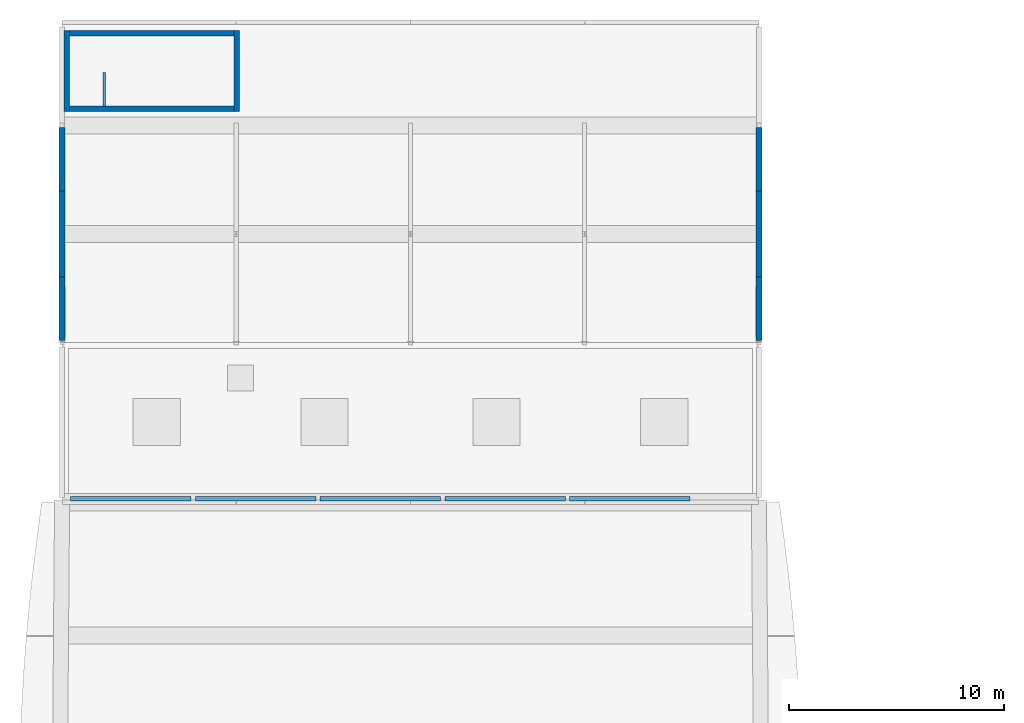
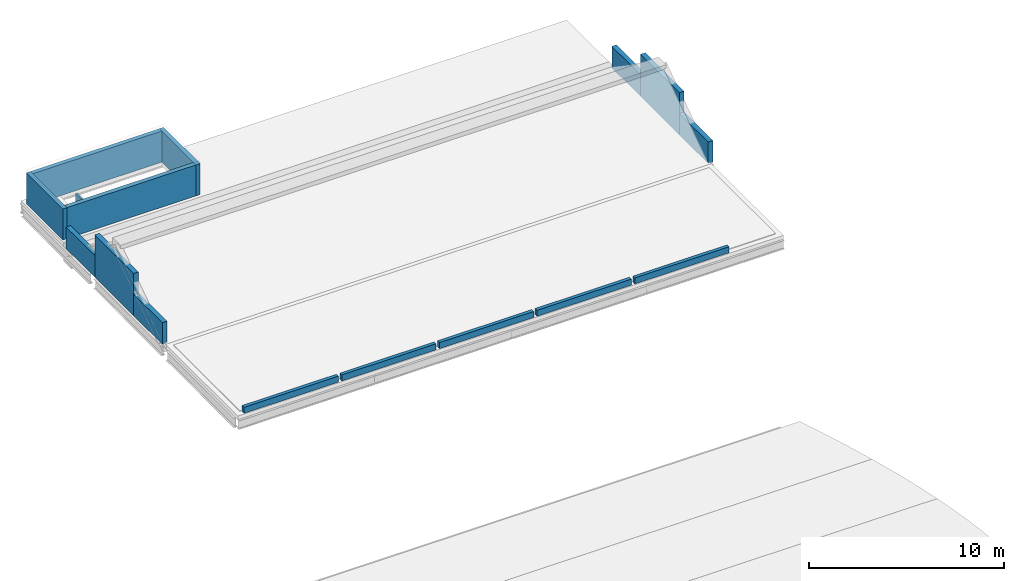
# One storey, part 8 of 9: 16 walls.
"""IFC4 building model written with IfcOpenShell, lengths in metres."""

from ifc_helpers import new_model, si_unit, direction, frame, frame_2d, origin, place, context, subcontext, project, spatial, rectangle, extrude, material, layer, layer_set, type_object, element, save


model = new_model("IFC4")

# Units and contexts
model_context = context("Model", 3, precision=1e-05, world=origin(), true_north=direction((0.0, 1.0)))
body_context = subcontext(model_context, "Body", "Model", "MODEL_VIEW")
ifc_project = project(units=[si_unit("LENGTHUNIT", "METRE"), si_unit("AREAUNIT", "SQUARE_METRE"), si_unit("VOLUMEUNIT", "CUBIC_METRE"), si_unit("PLANEANGLEUNIT", "RADIAN"), si_unit("MASSUNIT", "GRAM", prefix="KILO")], contexts=[model_context])

# Site, building, storey
site_placement = place(None, origin())
site = spatial("IfcSite", under=ifc_project, at=site_placement, CompositionType="ELEMENT")
building_placement = place(site_placement, origin())
building = spatial("IfcBuilding", under=site, at=building_placement, Name="Kaelora Sail Theatre", CompositionType="ELEMENT")
storey_placement = place(building_placement, frame((0.0, 0.0, 33.60009765625)))
storey = spatial("IfcBuildingStorey", under=building, at=storey_placement, Name="ROOF", CompositionType="ELEMENT", Elevation=33.60009765625)

# Walls
ifc_material_1 = material(Name="Concrete C40/50", Category="concrete")
ifc_layer_1 = layer(ifc_material_1, 0.25)
ifc_layer_set_1 = layer_set([ifc_layer_1], Name="Concrete C40/50")
wall_type_1 = type_object("IfcWallType", Name="ARC-WL-CW-250", PredefinedType="SHEAR", material=ifc_layer_set_1)
for number, where, z_axis, x_axis, name in (
    (1, (26.155029296875, 79.324951171875, 0.0), (0.0, 0.0, 1.0), (1.0, 0.0, 0.0), "Stair shaft ST-K1 wall ROOF-S"),
    (2, (26.155029296875, 82.824951171875, 0.0), (0.0, 0.0, 1.0), (1.0, 0.0, 0.0), "Stair shaft ST-K1 wall ROOF-N"),
):
    element("IfcWall", number, at=place(storey_placement, frame(where, z_axis=z_axis, x_axis=x_axis)), inside=storey, type_object=wall_type_1, Name=name, PredefinedType="SHEAR", context=body_context, shape_type="SweptSolid", body=[
        extrude(rectangle(XDim=7.639892578125, YDim=0.25, at=frame_2d((3.81982421875, 0.0))), origin(), (0.0, 0.0, 1.0), 1.949951171875),
    ])
for number, where, z_axis, x_axis, name in (
    (3, (26.02490234375, 79.199951171875, 0.0), (0.0, 0.0, 1.0), (0.0, 1.0, 0.0), "Stair shaft ST-K1 wall ROOF-W"),
    (4, (33.925048828125, 79.199951171875, 0.0), (0.0, 0.0, 1.0), (0.0, 1.0, 0.0), "Stair shaft ST-K1 wall ROOF-E"),
):
    element("IfcWall", number, at=place(storey_placement, frame(where, z_axis=z_axis, x_axis=x_axis)), inside=storey, type_object=wall_type_1, Name=name, PredefinedType="SHEAR", context=body_context, shape_type="SweptSolid", body=[
        extrude(rectangle(XDim=3.75, YDim=0.25, at=frame_2d((1.875, 0.0))), origin(), (0.0, 0.0, 1.0), 1.949951171875),
    ])
ifc_material_2 = material(Name="Precast concrete C45/55", Category="concrete")
ifc_layer_2 = layer(ifc_material_2, 0.280029296875)
ifc_layer_set_2 = layer_set([ifc_layer_2], Name="Precast concrete C45/55")
wall_type_2 = type_object("IfcWallType", Name="ARC-WL-EW-280", PredefinedType="SOLIDWALL", material=ifc_layer_set_2)
wall_1_placement = place(storey_placement, frame((25.800048828125, 68.550048828125, 0.0), z_axis=(0.0, 0.0, 1.0), x_axis=(0.0, 1.0, 0.0)))
element("IfcWall", 5, at=wall_1_placement, inside=storey, type_object=wall_type_2, Name="Fly Tower Postmodern Stepped Gable Wall W-1", PredefinedType="SOLIDWALL", context=body_context, shape_type="SweptSolid", body=[
    extrude(rectangle(XDim=2.949951171875, YDim=0.280029296875, at=frame_2d((1.47509765625, 0.0))), origin(), (0.0, 0.0, 1.0), 1.349853515625),
])
wall_2_placement = place(storey_placement, frame((25.800048828125, 71.5, 0.0), z_axis=(0.0, 0.0, 1.0), x_axis=(0.0, 1.0, 0.0)))
element("IfcWall", 6, at=wall_2_placement, inside=storey, type_object=wall_type_2, Name="Fly Tower Postmodern Stepped Gable Wall W-2", PredefinedType="SOLIDWALL", context=body_context, shape_type="SweptSolid", body=[
    extrude(rectangle(XDim=4.0, YDim=0.280029296875, at=frame_2d((2.0, 0.0))), origin(), (0.0, 0.0, 1.0), 2.64990234375),
])
for number, where, z_axis, x_axis, name in (
    (7, (25.800048828125, 75.5, 0.0), (0.0, 0.0, 1.0), (0.0, 1.0, 0.0), "Fly Tower Postmodern Stepped Gable Wall W-3"),
    (8, (58.199951171875, 68.550048828125, 0.0), (0.0, 0.0, 1.0), (0.0, 1.0, 0.0), "Fly Tower Postmodern Stepped Gable Wall E-1"),
):
    element("IfcWall", number, at=place(storey_placement, frame(where, z_axis=z_axis, x_axis=x_axis)), inside=storey, type_object=wall_type_2, Name=name, PredefinedType="SOLIDWALL", context=body_context, shape_type="SweptSolid", body=[
        extrude(rectangle(XDim=2.949951171875, YDim=0.280029296875, at=frame_2d((1.47509765625, 0.0))), origin(), (0.0, 0.0, 1.0), 1.349853515625),
    ])
wall_3_placement = place(storey_placement, frame((58.199951171875, 71.5, 0.0), z_axis=(0.0, 0.0, 1.0), x_axis=(0.0, 1.0, 0.0)))
element("IfcWall", 9, at=wall_3_placement, inside=storey, type_object=wall_type_2, Name="Fly Tower Postmodern Stepped Gable Wall E-2", PredefinedType="SOLIDWALL", context=body_context, shape_type="SweptSolid", body=[
    extrude(rectangle(XDim=4.0, YDim=0.280029296875, at=frame_2d((2.0, 0.0))), origin(), (0.0, 0.0, 1.0), 2.64990234375),
])
wall_4_placement = place(storey_placement, frame((58.199951171875, 75.5, 0.0), z_axis=(0.0, 0.0, 1.0), x_axis=(0.0, 1.0, 0.0)))
element("IfcWall", 10, at=wall_4_placement, inside=storey, type_object=wall_type_2, Name="Fly Tower Postmodern Stepped Gable Wall E-3", PredefinedType="SOLIDWALL", context=body_context, shape_type="SweptSolid", body=[
    extrude(rectangle(XDim=2.949951171875, YDim=0.280029296875, at=frame_2d((1.47509765625, 0.0))), origin(), (0.0, 0.0, 1.0), 1.349853515625),
])
ifc_material_3 = material(Name="Standard metal-stud partition 120 mm", Category="gypsum")
ifc_layer_3 = layer(ifc_material_3, 0.1201171875)
ifc_layer_set_3 = layer_set([ifc_layer_3], Name="Standard metal-stud partition 120 mm")
wall_type_3 = type_object("IfcWallType", Name="ARC-WL-PT-120", PredefinedType="PARTITIONING", material=ifc_layer_set_3)
wall_5_placement = place(storey_placement, frame((27.7548828125, 79.449951171875, 0.0), z_axis=(0.0, 0.0, 1.0), x_axis=(0.0, 1.0, 0.0)))
element("IfcWall", 11, at=wall_5_placement, inside=storey, type_object=wall_type_3, Name="Stair ST-K1 roof headhouse well guard wall", PredefinedType="PARTITIONING", context=body_context, shape_type="SweptSolid", body=[
    extrude(rectangle(XDim=1.550048828125, YDim=0.1201171875, at=frame_2d((0.77490234375, 0.0))), origin(), (0.0, 0.0, 1.0), 1.199951171875),
])
ifc_material_4 = material(Name="Precast concrete C45/55", Category="concrete")
ifc_layer_4 = layer(ifc_material_4, 0.199951171875)
ifc_layer_set_4 = layer_set([ifc_layer_4], Name="Precast concrete C45/55")
wall_type_4 = type_object("IfcWallType", Name="ARC-WL-PW-200", PredefinedType="PARAPET", material=ifc_layer_set_4)
for number, where, z_axis, x_axis, name in (
    (12, (26.199951171875, 61.179931640625, 0.0), (0.0, 0.0, 1.0), (1.0, 0.0, 0.0), "Fly Tower collar parapet fascia 1"),
    (13, (32.0, 61.179931640625, 0.0), (0.0, 0.0, 1.0), (1.0, 0.0, 0.0), "Fly Tower collar parapet fascia 2"),
):
    element("IfcWall", number, at=place(storey_placement, frame(where, z_axis=z_axis, x_axis=x_axis)), inside=storey, type_object=wall_type_4, Name=name, PredefinedType="PARAPET", context=body_context, shape_type="SweptSolid", body=[
        extrude(rectangle(XDim=5.60009765625, YDim=0.199951171875, at=frame_2d((2.800048828125, 0.0))), origin(), (0.0, 0.0, 1.0), 0.3798828125),
    ])
for number, where, z_axis, x_axis, name in (
    (14, (37.800048828125, 61.179931640625, 0.0), (0.0, 0.0, 1.0), (1.0, 0.0, 0.0), "Fly Tower collar parapet fascia 3"),
    (15, (43.60009765625, 61.179931640625, 0.0), (0.0, 0.0, 1.0), (1.0, 0.0, 0.0), "Fly Tower collar parapet fascia 4"),
):
    element("IfcWall", number, at=place(storey_placement, frame(where, z_axis=z_axis, x_axis=x_axis)), inside=storey, type_object=wall_type_4, Name=name, PredefinedType="PARAPET", context=body_context, shape_type="SweptSolid", body=[
        extrude(rectangle(XDim=5.599853515625, YDim=0.199951171875, at=frame_2d((2.7998046875, 0.0))), origin(), (0.0, 0.0, 1.0), 0.3798828125),
    ])
wall_6_placement = place(storey_placement, frame((49.39990234375, 61.179931640625, 0.0), z_axis=(0.0, 0.0, 1.0), x_axis=(1.0, 0.0, 0.0)))
element("IfcWall", 16, at=wall_6_placement, inside=storey, type_object=wall_type_4, Name="Fly Tower collar parapet fascia 5", PredefinedType="PARAPET", context=body_context, shape_type="SweptSolid", body=[
    extrude(rectangle(XDim=5.60009765625, YDim=0.199951171875, at=frame_2d((2.800048828125, 0.0))), origin(), (0.0, 0.0, 1.0), 0.3798828125),
])

save(model, "model.ifc")
